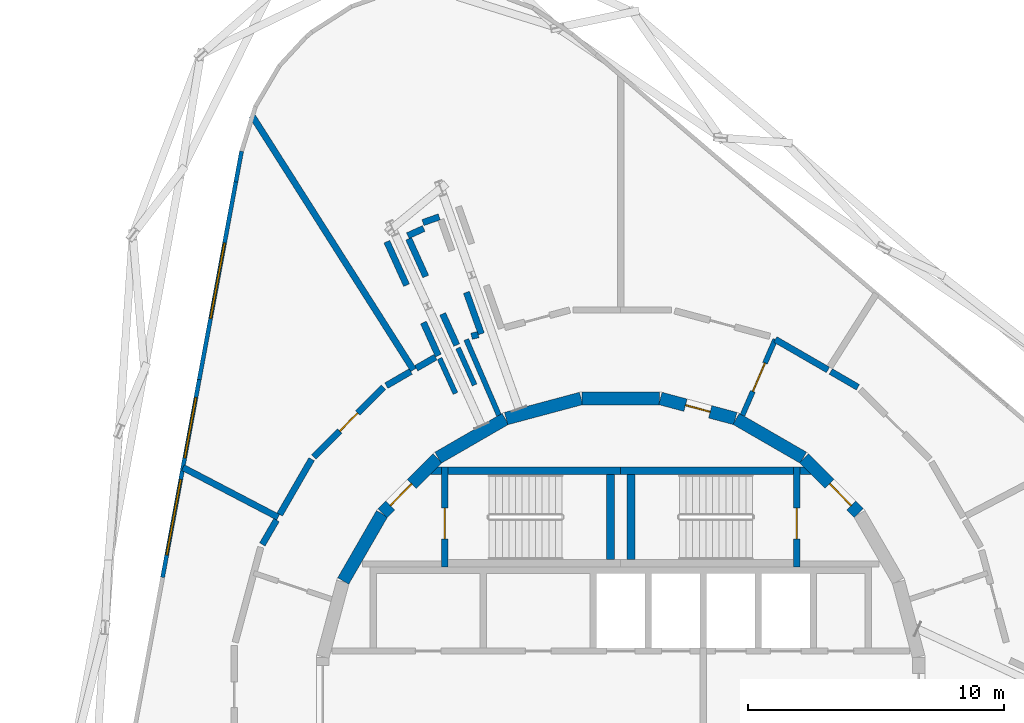
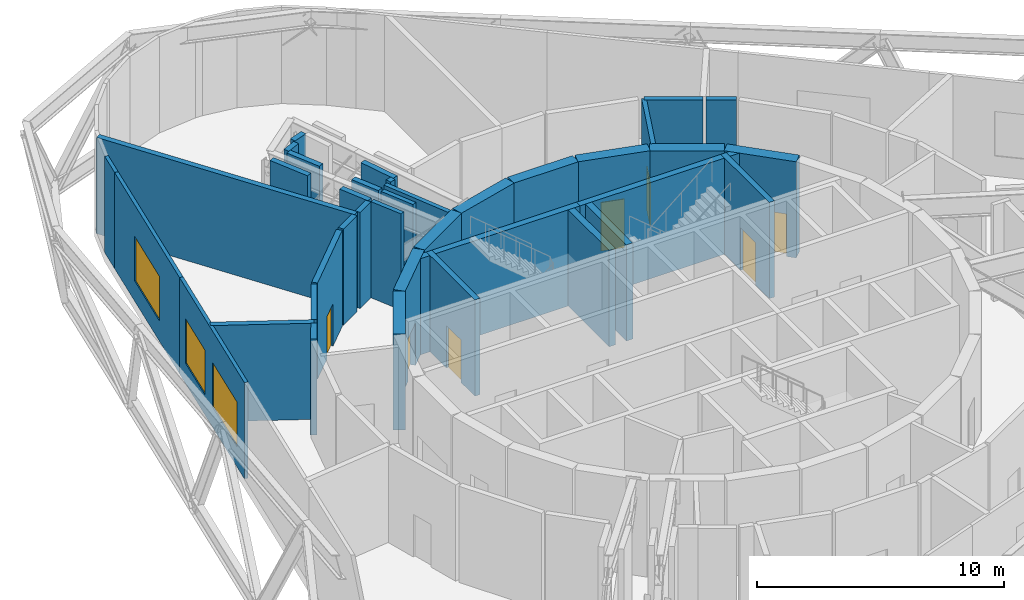
# One storey, part 9 of 12: 40 walls, 7 doors, 3 windows, 10 openings.
"""IFC4 building model written with IfcOpenShell, lengths in metres."""

from ifc_helpers import new_model, si_unit, direction, frame, frame_2d, origin, place, context, subcontext, project, spatial, polyline, rectangle, outline, extrude, material, layer, layer_set, type_object, element, fill, save


model = new_model("IFC4")

# Units and contexts
model_context = context("Model", 3, precision=1e-05, world=origin(), true_north=direction((0.0, 1.0)))
body_context = subcontext(model_context, "Body", "Model", "MODEL_VIEW")
ifc_project = project(units=[si_unit("LENGTHUNIT", "METRE"), si_unit("AREAUNIT", "SQUARE_METRE"), si_unit("VOLUMEUNIT", "CUBIC_METRE"), si_unit("PLANEANGLEUNIT", "RADIAN"), si_unit("MASSUNIT", "GRAM", prefix="KILO")], contexts=[model_context])

# Site, building, storey
site_placement = place(None, origin())
site = spatial("IfcSite", under=ifc_project, at=site_placement, CompositionType="ELEMENT")
building_placement = place(site_placement, origin())
building = spatial("IfcBuilding", under=site, at=building_placement, Name="Spindle Arch Residences", CompositionType="ELEMENT")
storey_placement = place(building_placement, frame((0.0, 0.0, 183.199951171875)))
storey = spatial("IfcBuildingStorey", under=building, at=storey_placement, Name="L46", CompositionType="ELEMENT", Elevation=183.199951171875)

# Wall, opening, door
ifc_material_1 = material(Name="Concrete C50/60", Category="concrete")
ifc_layer_1 = layer(ifc_material_1, 0.5)
ifc_layer_set_1 = layer_set([ifc_layer_1], Name="Core outline wall 500")
wall_type_1 = type_object("IfcWallType", Name="Core outline wall 500", PredefinedType="SHEAR", material=ifc_layer_set_1)
wall_1_placement = place(storey_placement, frame((9.30810546875, 7.163818359375, 0.0), z_axis=(0.0, 0.0, 1.0), x_axis=(-0.707106781187, 0.707106781187, 0.0)))
wall_1 = element("IfcWall", 1, at=wall_1_placement, inside=storey, type_object=wall_type_1, Name="Core outline wall 9", PredefinedType="SHEAR", context=body_context, shape_type="SweptSolid", body=[
    extrude(rectangle(XDim=3.032470703125, YDim=0.5, at=frame_2d((1.51611328125, 0.0))), origin(), (0.0, 0.0, 1.0), 4.75),
])
opening_1_placement = place(wall_1_placement, frame((0.416259765625, 0.0, 0.0)))
opening_1 = element("IfcOpeningElement", 2, at=opening_1_placement, cuts=wall_1, Name="Opening L46-AD01", PredefinedType="OPENING", context=body_context, shape_type="SweptSolid", body=[
    extrude(rectangle(XDim=1.199951171875, YDim=2.10009765625, at=frame_2d((0.60009765625, 1.050048828125))), frame((0.0, 0.260009765625, 0.0), z_axis=(0.0, -1.0, 0.0), x_axis=(1.0, 0.0, 0.0)), (0.0, 0.0, 1.0), 0.52001953125),
])
ifc_material_2 = material(Name="Steel, fire-resisting door", Category="steel")
door_type_1 = type_object("IfcDoorType", Name="Stair airlock door 1200x2100", OperationType="SINGLE_SWING_LEFT", PredefinedType="DOOR", material=ifc_material_2)
door_1_placement = place(opening_1_placement, origin())
door_1 = element("IfcDoor", 3, at=door_1_placement, inside=storey, type_object=door_type_1, Name="Stair airlock door L46-AD01", OperationType="SINGLE_SWING_RIGHT", OverallHeight=2.10009765625, OverallWidth=1.199951171875, PredefinedType="DOOR", context=body_context, shape_type="SweptSolid", body=[
    extrude(rectangle(XDim=1.199951171875, YDim=2.10009765625, at=frame_2d((0.60009765625, 1.050048828125))), frame((0.0, 0.02490234375, 0.0), z_axis=(0.0, -1.0, 0.0), x_axis=(1.0, 0.0, 0.0)), (0.0, 0.0, 1.0), 0.050048828125),
])
fill(opening_1, door_1)

# Wall
wall_2_placement = place(storey_placement, frame((7.13671875, 9.32861328125, 0.0), z_axis=(0.0, 0.0, 1.0), x_axis=(-0.865975092491, 0.500087131594, 0.0)))
element("IfcWall", 4, at=wall_2_placement, inside=storey, type_object=wall_type_1, Name="Core outline wall 10", PredefinedType="SHEAR", context=body_context, shape_type="SweptSolid", body=[
    extrude(rectangle(XDim=3.03271484375, YDim=0.5, at=frame_2d((1.516357421875, 0.0))), origin(), (0.0, 0.0, 1.0), 4.75),
])

# Wall, opening, door
wall_3_placement = place(storey_placement, frame((4.479248046875, 10.858154296875, 0.0), z_axis=(0.0, 0.0, 1.0), x_axis=(-0.965948410781, 0.258734743916, 0.0)))
wall_3 = element("IfcWall", 5, at=wall_3_placement, inside=storey, type_object=wall_type_1, Name="Core outline wall 11", PredefinedType="SHEAR", context=body_context, shape_type="SweptSolid", body=[
    extrude(rectangle(XDim=3.03271484375, YDim=0.5, at=frame_2d((1.516357421875, 0.0))), origin(), (0.0, 0.0, 1.0), 4.75),
])
opening_2_placement = place(wall_3_placement, frame((1.01611328125, 0.0, 0.0)))
opening_2 = element("IfcOpeningElement", 6, at=opening_2_placement, cuts=wall_3, Name="Opening L46-PD11", PredefinedType="OPENING", context=body_context, shape_type="SweptSolid", body=[
    extrude(rectangle(XDim=1.0, YDim=2.39990234375, at=frame_2d((0.5, 1.199951171875))), frame((0.0, 0.260009765625, 0.0), z_axis=(0.0, -1.0, 0.0), x_axis=(1.0, 0.0, 0.0)), (0.0, 0.0, 1.0), 0.52001953125),
])
ifc_material_3 = material(Name="Steel, fire-resisting door", Category="steel")
door_type_2 = type_object("IfcDoorType", Name="Plant room door 1000x2400", OperationType="SINGLE_SWING_LEFT", PredefinedType="DOOR", material=ifc_material_3)
door_2_placement = place(opening_2_placement, origin())
door_2 = element("IfcDoor", 7, at=door_2_placement, inside=storey, type_object=door_type_2, Name="Plant room door L46-PD11", OperationType="SINGLE_SWING_LEFT", OverallHeight=2.39990234375, OverallWidth=1.0, PredefinedType="DOOR", context=body_context, shape_type="SweptSolid", body=[
    extrude(rectangle(XDim=1.0, YDim=2.39990234375, at=frame_2d((0.5, 1.199951171875))), frame((0.0, 0.02490234375, 0.0), z_axis=(0.0, -1.0, 0.0), x_axis=(1.0, 0.0, 0.0)), (0.0, 0.0, 1.0), 0.050048828125),
])
fill(opening_2, door_2)

# Walls
for number, where, z_axis, x_axis, name in (
    (8, (1.516357421875, 11.647216796875, 0.0), (0.0, 0.0, 1.0), (-1.0, 0.0, 0.0), "Core outline wall 12"),
    (9, (-1.5498046875, 11.642822265625, 0.0), (0.0, 0.0, 1.0), (-0.965948410781, -0.258734743916, 0.0), "Core outline wall 13"),
    (10, (-4.510498046875, 10.84521484375, 0.0), (0.0, 0.0, 1.0), (-0.865975092491, -0.500087131594, 0.0), "Core outline wall 14"),
):
    element("IfcWall", number, at=place(storey_placement, frame(where, z_axis=z_axis, x_axis=x_axis)), inside=storey, type_object=wall_type_1, Name=name, PredefinedType="SHEAR", context=body_context, shape_type="SweptSolid", body=[
        extrude(rectangle(XDim=3.03271484375, YDim=0.5, at=frame_2d((1.516357421875, 0.0))), origin(), (0.0, 0.0, 1.0), 4.75),
    ])

# Wall, opening, door
wall_4_placement = place(storey_placement, frame((-7.163818359375, 9.30810546875, 0.0), z_axis=(0.0, 0.0, 1.0), x_axis=(-0.707106781187, -0.707106781187, 0.0)))
wall_4 = element("IfcWall", 11, at=wall_4_placement, inside=storey, type_object=wall_type_1, Name="Core outline wall 15", PredefinedType="SHEAR", context=body_context, shape_type="SweptSolid", body=[
    extrude(rectangle(XDim=3.032470703125, YDim=0.5, at=frame_2d((1.51611328125, 0.0))), origin(), (0.0, 0.0, 1.0), 4.75),
])
opening_3_placement = place(wall_4_placement, frame((1.416259765625, 0.0, 0.0)))
opening_3 = element("IfcOpeningElement", 12, at=opening_3_placement, cuts=wall_4, Name="Opening L46-AD02", PredefinedType="OPENING", context=body_context, shape_type="SweptSolid", body=[
    extrude(rectangle(XDim=1.199951171875, YDim=2.10009765625, at=frame_2d((0.60009765625, 1.050048828125))), frame((0.0, 0.260009765625, 0.0), z_axis=(0.0, -1.0, 0.0), x_axis=(1.0, 0.0, 0.0)), (0.0, 0.0, 1.0), 0.52001953125),
])
door_3_placement = place(opening_3_placement, origin())
door_3 = element("IfcDoor", 13, at=door_3_placement, inside=storey, type_object=door_type_1, Name="Stair airlock door L46-AD02", OperationType="SINGLE_SWING_RIGHT", OverallHeight=2.10009765625, OverallWidth=1.199951171875, PredefinedType="DOOR", context=body_context, shape_type="SweptSolid", body=[
    extrude(rectangle(XDim=1.199951171875, YDim=2.10009765625, at=frame_2d((0.60009765625, 1.050048828125))), frame((0.0, 0.02490234375, 0.0), z_axis=(0.0, -1.0, 0.0), x_axis=(1.0, 0.0, 0.0)), (0.0, 0.0, 1.0), 0.050048828125),
])
fill(opening_3, door_3)

# Walls
wall_5_placement = place(storey_placement, frame((-9.32861328125, 7.13671875, 0.0), z_axis=(0.0, 0.0, 1.0), x_axis=(-0.500087131594, -0.865975092491, 0.0)))
element("IfcWall", 14, at=wall_5_placement, inside=storey, type_object=wall_type_1, Name="Core outline wall 16", PredefinedType="SHEAR", context=body_context, shape_type="SweptSolid", body=[
    extrude(rectangle(XDim=3.03271484375, YDim=0.5, at=frame_2d((1.516357421875, 0.0))), origin(), (0.0, 0.0, 1.0), 4.75),
])
ifc_material_4 = material(Name="Non-combustible mineral wool insulated aluminium faced external wall (K0)", Category="aluminium")
ifc_layer_2 = layer(ifc_material_4, 0.159912109375)
ifc_layer_set_2 = layer_set([ifc_layer_2], Name="Insulated external wall panel 160")
wall_type_2 = type_object("IfcWallType", Name="Insulated external wall panel 160", PredefinedType="STANDARD", material=ifc_layer_set_2)
wall_6_placement = place(storey_placement, frame((-14.81884765625, 21.30322265625, 0.0), z_axis=(0.0, 0.0, 1.0), x_axis=(-0.182153983932, -0.983270016902, 0.0)))
element("IfcWall", 15, at=wall_6_placement, inside=storey, type_object=wall_type_2, Name="Plant wall L46 bay 12.4", PredefinedType="STANDARD", context=body_context, shape_type="SweptSolid", body=[
    extrude(rectangle(XDim=1.215576171875, YDim=0.159912109375, at=frame_2d((0.60791015625, 0.0))), origin(), (0.0, 0.0, 1.0), 4.75),
])

# Wall, opening, window
wall_7_placement = place(storey_placement, frame((-15.04052734375, 20.107666015625, 0.0), z_axis=(0.0, 0.0, 1.0), x_axis=(-0.182238304251, -0.983254392547, 0.0)))
wall_7 = element("IfcWall", 16, at=wall_7_placement, inside=storey, type_object=wall_type_2, Name="Plant wall L46 bay 13", PredefinedType="STANDARD", context=body_context, shape_type="SweptSolid", body=[
    extrude(rectangle(XDim=7.85986328125, YDim=0.159912109375, at=frame_2d((3.929931640625, 0.0))), origin(), (0.0, 0.0, 1.0), 4.75),
])
opening_4_placement = place(wall_7_placement, frame((2.429931640625, 0.0, 1.0)))
opening_4 = element("IfcOpeningElement", 17, at=opening_4_placement, cuts=wall_7, Name="Opening LW1", PredefinedType="OPENING", context=body_context, shape_type="SweptSolid", body=[
    extrude(rectangle(XDim=3.0, YDim=2.199951171875, at=frame_2d((1.5, 1.10009765625))), frame((0.0, 0.08984375, 0.0), z_axis=(0.0, -1.0, 0.0), x_axis=(1.0, 0.0, 0.0)), (0.0, 0.0, 1.0), 0.179931640625),
])
ifc_material_5 = material(Name="Bronze anodised aluminium fixed louvre", Category="aluminium")
window_type_1 = type_object("IfcWindowType", Name="Plant louvre opening 3000x2200", PartitioningType="SINGLE_PANEL", PredefinedType="WINDOW", material=ifc_material_5)
window_1_placement = place(opening_4_placement, origin())
window_1 = element("IfcWindow", 18, at=window_1_placement, inside=storey, type_object=window_type_1, Name="Louvre opening L46 bay 13.1", OverallHeight=2.199951171875, OverallWidth=3.0, PartitioningType="SINGLE_PANEL", PredefinedType="WINDOW", context=body_context, shape_type="SweptSolid", body=[
    extrude(rectangle(XDim=3.0, YDim=2.199951171875, at=frame_2d((1.5, 1.10009765625))), frame((0.0, 0.030029296875, 0.0), z_axis=(0.0, -1.0, 0.0), x_axis=(1.0, 0.0, 0.0)), (0.0, 0.0, 1.0), 0.06005859375),
])
fill(opening_4, window_1)

# Wall, openings, windows
wall_8_placement = place(storey_placement, frame((-16.472900390625, 12.37939453125, 0.0), z_axis=(0.0, 0.0, 1.0), x_axis=(-0.182232738599, -0.98325542408, 0.0)))
wall_8 = element("IfcWall", 19, at=wall_8_placement, inside=storey, type_object=wall_type_2, Name="Plant wall L46 bay 14", PredefinedType="STANDARD", context=body_context, shape_type="SweptSolid", body=[
    extrude(rectangle(XDim=7.860107421875, YDim=0.159912109375, at=frame_2d((3.93017578125, 0.0))), origin(), (0.0, 0.0, 1.0), 4.75),
])
opening_5_placement = place(wall_8_placement, frame((0.715087890625, 0.0, 1.0)))
opening_5 = element("IfcOpeningElement", 20, at=opening_5_placement, cuts=wall_8, Name="Opening LW2", PredefinedType="OPENING", context=body_context, shape_type="SweptSolid", body=[
    extrude(rectangle(XDim=2.39990234375, YDim=2.199951171875, at=frame_2d((1.199951171875, 1.10009765625))), frame((0.0, 0.08984375, 0.0), z_axis=(0.0, -1.0, 0.0), x_axis=(1.0, 0.0, 0.0)), (0.0, 0.0, 1.0), 0.179931640625),
])
opening_6_placement = place(wall_8_placement, frame((3.97021484375, 0.0, 1.0)))
opening_6 = element("IfcOpeningElement", 21, at=opening_6_placement, cuts=wall_8, Name="Opening LW1", PredefinedType="OPENING", context=body_context, shape_type="SweptSolid", body=[
    extrude(rectangle(XDim=3.0, YDim=2.199951171875, at=frame_2d((1.5, 1.10009765625))), frame((0.0, 0.08984375, 0.0), z_axis=(0.0, -1.0, 0.0), x_axis=(1.0, 0.0, 0.0)), (0.0, 0.0, 1.0), 0.179931640625),
])
ifc_material_6 = material(Name="Bronze anodised aluminium fixed louvre", Category="aluminium")
window_type_2 = type_object("IfcWindowType", Name="Plant louvre opening 2400x2200", PartitioningType="SINGLE_PANEL", PredefinedType="WINDOW", material=ifc_material_6)
window_2_placement = place(opening_5_placement, origin())
window_2 = element("IfcWindow", 22, at=window_2_placement, inside=storey, type_object=window_type_2, Name="Louvre opening L46 bay 14.1", OverallHeight=2.199951171875, OverallWidth=2.39990234375, PartitioningType="SINGLE_PANEL", PredefinedType="WINDOW", context=body_context, shape_type="SweptSolid", body=[
    extrude(rectangle(XDim=2.39990234375, YDim=2.199951171875, at=frame_2d((1.199951171875, 1.10009765625))), frame((0.0, 0.030029296875, 0.0), z_axis=(0.0, -1.0, 0.0), x_axis=(1.0, 0.0, 0.0)), (0.0, 0.0, 1.0), 0.06005859375),
])
fill(opening_5, window_2)
window_3_placement = place(opening_6_placement, origin())
window_3 = element("IfcWindow", 23, at=window_3_placement, inside=storey, type_object=window_type_1, Name="Louvre opening L46 bay 14.2", OverallHeight=2.199951171875, OverallWidth=3.0, PartitioningType="SINGLE_PANEL", PredefinedType="WINDOW", context=body_context, shape_type="SweptSolid", body=[
    extrude(rectangle(XDim=3.0, YDim=2.199951171875, at=frame_2d((1.5, 1.10009765625))), frame((0.0, 0.030029296875, 0.0), z_axis=(0.0, -1.0, 0.0), x_axis=(1.0, 0.0, 0.0)), (0.0, 0.0, 1.0), 0.06005859375),
])
fill(opening_6, window_3)

# Walls
ifc_material_7 = material(Name="Concrete C25/30 wall", Category="concrete")
ifc_layer_3 = layer(ifc_material_7, 0.25)
ifc_layer_set_3 = layer_set([ifc_layer_3], Name="Partition EI 120 250 plant")
wall_type_3 = type_object("IfcWallType", Name="Partition EI 120 250 plant", PredefinedType="PARTITIONING", material=ifc_layer_set_3)
wall_9_placement = place(storey_placement, frame((-13.452880859375, 6.891845703125, 0.0), z_axis=(0.0, 0.0, 1.0), x_axis=(-0.502370413152, -0.864652512857, 0.0)))
element("IfcWall", 24, at=wall_9_placement, inside=storey, type_object=wall_type_3, Name="L46-W007", PredefinedType="PARTITIONING", context=body_context, shape_type="SweptSolid", body=[
    extrude(rectangle(XDim=1.103271484375, YDim=0.25, at=frame_2d((0.5517578125, 0.0))), origin(), (0.0, 0.0, 1.0), 4.75),
])
wall_10_placement = place(storey_placement, frame((6.0400390625, 13.949951171875, 0.0), z_axis=(0.0, 0.0, 1.0), x_axis=(0.865922362496, -0.500178430292, 0.0)))
element("IfcWall", 25, at=wall_10_placement, inside=storey, type_object=wall_type_3, Name="L46-W053", PredefinedType="PARTITIONING", context=body_context, shape_type="SweptSolid", body=[
    extrude(rectangle(XDim=2.379150390625, YDim=0.25, at=frame_2d((1.189453125, 0.0))), origin(), (0.0, 0.0, 1.0), 4.75),
])
ifc_material_8 = material(Name="Concrete C25/30 wall", Category="concrete")
ifc_layer_4 = layer(ifc_material_8, 0.25)
ifc_layer_set_4 = layer_set([ifc_layer_4], Name="Partition EI 150 250 electrical")
wall_type_4 = type_object("IfcWallType", Name="Partition EI 150 250 electrical", PredefinedType="PARTITIONING", material=ifc_layer_set_4)
wall_11_placement = place(storey_placement, frame((-9.139892578125, 17.77001953125, 0.0), z_axis=(0.0, 0.0, 1.0), x_axis=(0.412501408044, -0.910956962958, 0.0)))
element("IfcWall", 26, at=wall_11_placement, inside=storey, type_object=wall_type_4, Name="L46-W018", PredefinedType="PARTITIONING", context=body_context, shape_type="SweptSolid", body=[
    extrude(rectangle(XDim=1.8662109375, YDim=0.25, at=frame_2d((0.93310546875, 0.0))), origin(), (0.0, 0.0, 1.0), 4.75),
])
wall_12_placement = place(storey_placement, frame((-8.10009765625, 12.760009765625, 0.0), z_axis=(0.0, 0.0, 1.0), x_axis=(-0.536060247706, 0.844179726616, 0.0)))
element("IfcWall", 27, at=wall_12_placement, inside=storey, type_object=wall_type_4, Name="L46-W021", PredefinedType="PARTITIONING", context=body_context, shape_type="SweptSolid", body=[
    extrude(rectangle(XDim=11.765625, YDim=0.25, at=frame_2d((5.8828125, 0.0))), origin(), (0.0, 0.0, 1.0), 4.75),
])
wall_13_placement = place(storey_placement, frame((-7.7099609375, 14.610107421875, 0.0), z_axis=(0.0, 0.0, 1.0), x_axis=(0.410106293635, -0.912037733825, 0.0)))
element("IfcWall", 28, at=wall_13_placement, inside=storey, type_object=wall_type_4, Name="L46-W025", PredefinedType="PARTITIONING", context=body_context, shape_type="SweptSolid", body=[
    extrude(rectangle(XDim=1.41455078125, YDim=0.25, at=frame_2d((0.707275390625, 0.0))), origin(), (0.0, 0.0, 1.0), 4.75),
])
wall_14_placement = place(storey_placement, frame((-7.6201171875, 16.409912109375, 0.0), z_axis=(0.0, 0.0, 1.0), x_axis=(-0.412505188341, 0.910955251147, 0.0)))
element("IfcWall", 29, at=wall_14_placement, inside=storey, type_object=wall_type_4, Name="L46-W026", PredefinedType="PARTITIONING", context=body_context, shape_type="SweptSolid", body=[
    extrude(rectangle(XDim=1.616455078125, YDim=0.25, at=frame_2d((0.80810546875, 0.0))), origin(), (0.0, 0.0, 1.0), 4.75),
])
wall_15_placement = place(storey_placement, frame((-7.23828125, 13.257568359375, 0.0), z_axis=(0.0, 0.0, 1.0), x_axis=(-0.865989304205, -0.500062521093, 0.0)))
element("IfcWall", 30, at=wall_15_placement, inside=storey, type_object=wall_type_4, Name="L46-W028", PredefinedType="PARTITIONING", context=body_context, shape_type="SweptSolid", body=[
    extrude(rectangle(XDim=0.8701171875, YDim=0.25, at=frame_2d((0.43505859375, 0.0))), origin(), (0.0, 0.0, 1.0), 4.75),
])
wall_16_placement = place(storey_placement, frame((-6.409912109375, 13.72998046875, 0.0), z_axis=(0.0, 0.0, 1.0), x_axis=(-0.411024519378, 0.911624289096, 0.0)))
element("IfcWall", 31, at=wall_16_placement, inside=storey, type_object=wall_type_4, Name="L46-W031", PredefinedType="PARTITIONING", context=body_context, shape_type="SweptSolid", body=[
    extrude(rectangle(XDim=1.338134765625, YDim=0.25, at=frame_2d((0.6689453125, 0.0))), origin(), (0.0, 0.0, 1.0), 4.75),
])
wall_17_placement = place(storey_placement, frame((-6.030029296875, 15.7900390625, 0.0), z_axis=(0.0, 0.0, 1.0), x_axis=(0.337091235246, -0.941471985308, 0.0)))
element("IfcWall", 32, at=wall_17_placement, inside=storey, type_object=wall_type_4, Name="L46-W033", PredefinedType="PARTITIONING", context=body_context, shape_type="SweptSolid", body=[
    extrude(rectangle(XDim=1.720947265625, YDim=0.25, at=frame_2d((0.8603515625, 0.0))), origin(), (0.0, 0.0, 1.0), 4.75),
])
wall_18_placement = place(storey_placement, frame((-5.57080078125, 14.13818359375, 0.0), z_axis=(0.0, 0.0, 1.0), x_axis=(-0.967180624685, -0.254089825129, 0.0)))
element("IfcWall", 33, at=wall_18_placement, inside=storey, type_object=wall_type_4, Name="L46-W037", PredefinedType="PARTITIONING", context=body_context, shape_type="SweptSolid", body=[
    extrude(rectangle(XDim=0.26806640625, YDim=0.25, at=frame_2d((0.134033203125, 0.0))), origin(), (0.0, 0.0, 1.0), 4.75),
])
wall_19_placement = place(storey_placement, frame((-7.70068359375, 18.284912109375, 0.0), z_axis=(0.0, 0.0, 1.0), x_axis=(-0.910931266963, -0.412558149681, 0.0)))
element("IfcWall", 34, at=wall_19_placement, inside=storey, type_object=wall_type_4, Name="L46-W080", PredefinedType="PARTITIONING", context=body_context, shape_type="SweptSolid", body=[
    extrude(rectangle(XDim=0.679931640625, YDim=0.25, at=frame_2d((0.33984375, 0.0))), origin(), (0.0, 0.0, 1.0), 4.75),
])
wall_20_placement = place(storey_placement, frame((-7.0927734375, 18.740966796875, 0.0), z_axis=(0.0, 0.0, 1.0), x_axis=(-0.942636688844, -0.333820420054, 0.0)))
element("IfcWall", 35, at=wall_20_placement, inside=storey, type_object=wall_type_4, Name="L46-W081", PredefinedType="PARTITIONING", context=body_context, shape_type="SweptSolid", body=[
    extrude(rectangle(XDim=0.676513671875, YDim=0.25, at=frame_2d((0.33837890625, 0.0))), origin(), (0.0, 0.0, 1.0), 4.75),
])
ifc_material_9 = material(Name="Gypsum board partition on steel studs", Category="steel")
ifc_layer_5 = layer(ifc_material_9, 0.199951171875)
ifc_layer_set_5 = layer_set([ifc_layer_5], Name="Partition EI 60 200 amenity")
wall_type_5 = type_object("IfcWallType", Name="Partition EI 60 200 amenity", PredefinedType="PARTITIONING", material=ifc_layer_set_5)
wall_21_placement = place(storey_placement, frame((-7.078369140625, 13.2060546875, 0.0), z_axis=(0.0, 0.0, 1.0), x_axis=(0.412428521681, -0.910989963997, 0.0)))
element("IfcWall", 36, at=wall_21_placement, inside=storey, type_object=wall_type_5, Name="L46-W029", PredefinedType="PARTITIONING", context=body_context, shape_type="SweptSolid", body=[
    extrude(rectangle(XDim=1.49951171875, YDim=0.199951171875, at=frame_2d((0.749755859375, 0.0))), origin(), (0.0, 0.0, 1.0), 4.75),
])
wall_22_placement = place(storey_placement, frame((-6.038818359375, 13.947509765625, 0.0), z_axis=(0.0, 0.0, 1.0), x_axis=(0.396880096663, -0.917870464103, 0.0)))
element("IfcWall", 37, at=wall_22_placement, inside=storey, type_object=wall_type_5, Name="L46-W032", PredefinedType="PARTITIONING", context=body_context, shape_type="SweptSolid", body=[
    extrude(rectangle(XDim=3.22216796875, YDim=0.199951171875, at=frame_2d((1.611083984375, 0.0))), origin(), (0.0, 0.0, 1.0), 4.75),
])
wall_23_placement = place(storey_placement, frame((-5.7099609375, 12.169921875, 0.0), z_axis=(0.0, 0.0, 1.0), x_axis=(-0.40942296047, 0.912344693326, 0.0)))
element("IfcWall", 38, at=wall_23_placement, inside=storey, type_object=wall_type_5, Name="L46-W036", PredefinedType="PARTITIONING", context=body_context, shape_type="SweptSolid", body=[
    extrude(rectangle(XDim=1.5849609375, YDim=0.199951171875, at=frame_2d((0.79248046875, 0.0))), origin(), (0.0, 0.0, 1.0), 4.75),
])

# Wall, opening, door
wall_24_placement = place(storey_placement, frame((4.760009765625, 10.989990234375, 0.0), z_axis=(0.0, 0.0, 1.0), x_axis=(0.396905977672, 0.917859272922, 0.0)))
wall_24 = element("IfcWall", 39, at=wall_24_placement, inside=storey, type_object=wall_type_5, Name="L46-W050", PredefinedType="PARTITIONING", context=body_context, shape_type="SweptSolid", body=[
    extrude(rectangle(XDim=3.223876953125, YDim=0.199951171875, at=frame_2d((1.61181640625, 0.0))), origin(), (0.0, 0.0, 1.0), 4.75),
])
opening_7_placement = place(wall_24_placement, frame((1.011962890625, 0.0, 0.0)))
opening_7 = element("IfcOpeningElement", 40, at=opening_7_placement, cuts=wall_24, Name="Opening L46-D13", PredefinedType="OPENING", context=body_context, shape_type="SweptSolid", body=[
    extrude(rectangle(XDim=1.199951171875, YDim=2.10009765625, at=frame_2d((0.60009765625, 1.050048828125))), frame((0.0, 0.10986328125, 0.0), z_axis=(0.0, -1.0, 0.0), x_axis=(1.0, 0.0, 0.0)), (0.0, 0.0, 1.0), 0.219970703125),
])
ifc_material_10 = material(Name="Steel door leaf, painted", Category="steel")
door_type_3 = type_object("IfcDoorType", Name="Door 1200x2100 EI 60", OperationType="SINGLE_SWING_LEFT", PredefinedType="DOOR", material=ifc_material_10)
door_4_placement = place(opening_7_placement, origin())
door_4 = element("IfcDoor", 41, at=door_4_placement, inside=storey, type_object=door_type_3, Name="L46-D13", OperationType="SINGLE_SWING_LEFT", OverallHeight=2.10009765625, OverallWidth=1.199951171875, PredefinedType="DOOR", context=body_context, shape_type="SweptSolid", body=[
    extrude(rectangle(XDim=1.199951171875, YDim=2.10009765625, at=frame_2d((0.60009765625, 1.050048828125))), frame((0.0, 0.02490234375, 0.0), z_axis=(0.0, -1.0, 0.0), x_axis=(1.0, 0.0, 0.0)), (0.0, 0.0, 1.0), 0.050048828125),
])
fill(opening_7, door_4)

# Walls
ifc_material_11 = material(Name="Concrete C25/30 wall", Category="concrete")
ifc_layer_6 = layer(ifc_material_11, 0.25)
ifc_layer_set_6 = layer_set([ifc_layer_6], Name="Partition REI 120 250 refuge")
wall_type_6 = type_object("IfcWallType", Name="Partition REI 120 250 refuge", PredefinedType="PARTITIONING", material=ifc_layer_set_6)
wall_25_placement = place(storey_placement, frame((-13.389892578125, 7.0, 0.0), z_axis=(0.0, 0.0, 1.0), x_axis=(-0.88635027374, 0.46301532614, 0.0)))
element("IfcWall", 42, at=wall_25_placement, inside=storey, type_object=wall_type_6, Name="L46-W006", PredefinedType="PARTITIONING", context=body_context, shape_type="SweptSolid", body=[
    extrude(rectangle(XDim=4.196044921875, YDim=0.25, at=frame_2d((2.09814453125, 0.0))), origin(), (0.0, 0.0, 1.0), 4.75),
])
wall_26_placement = place(storey_placement, frame((-12.080078125, 9.27001953125, 0.0), z_axis=(0.0, 0.0, 1.0), x_axis=(-0.499821239653, -0.866128586522, 0.0)))
element("IfcWall", 43, at=wall_26_placement, inside=storey, type_object=wall_type_6, Name="L46-W011", PredefinedType="PARTITIONING", context=body_context, shape_type="SweptSolid", body=[
    extrude(rectangle(XDim=2.49609375, YDim=0.25, at=frame_2d((1.248046875, 0.0))), origin(), (0.0, 0.0, 1.0), 4.75),
])

# Wall, opening, door
wall_27_placement = place(storey_placement, frame((-9.27001953125, 12.080078125, 0.0), z_axis=(0.0, 0.0, 1.0), x_axis=(-0.707106781187, -0.707106781187, 0.0)))
wall_27 = element("IfcWall", 44, at=wall_27_placement, inside=storey, type_object=wall_type_6, Name="L46-W017", PredefinedType="PARTITIONING", context=body_context, shape_type="SweptSolid", body=[
    extrude(rectangle(XDim=3.84912109375, YDim=0.25, at=frame_2d((1.924560546875, 0.0))), origin(), (0.0, 0.0, 1.0), 4.75),
])
opening_8_placement = place(wall_27_placement, frame((1.424560546875, 0.0, 0.0)))
opening_8 = element("IfcOpeningElement", 45, at=opening_8_placement, cuts=wall_27, Name="Opening L46-D08", PredefinedType="OPENING", context=body_context, shape_type="SweptSolid", body=[
    extrude(rectangle(XDim=1.0, YDim=2.10009765625, at=frame_2d((0.5, 1.050048828125))), frame((0.0, 0.135009765625, 0.0), z_axis=(0.0, -1.0, 0.0), x_axis=(1.0, 0.0, 0.0)), (0.0, 0.0, 1.0), 0.27001953125),
])
ifc_material_12 = material(Name="Steel door leaf, painted", Category="steel")
door_type_4 = type_object("IfcDoorType", Name="Door 1000x2100 EI 60", OperationType="SINGLE_SWING_LEFT", PredefinedType="DOOR", material=ifc_material_12)
door_5_placement = place(opening_8_placement, origin())
door_5 = element("IfcDoor", 46, at=door_5_placement, inside=storey, type_object=door_type_4, Name="L46-D08", OperationType="SINGLE_SWING_LEFT", OverallHeight=2.10009765625, OverallWidth=1.0, PredefinedType="DOOR", context=body_context, shape_type="SweptSolid", body=[
    extrude(rectangle(XDim=1.0, YDim=2.10009765625, at=frame_2d((0.5, 1.050048828125))), frame((0.0, 0.02490234375, 0.0), z_axis=(0.0, -1.0, 0.0), x_axis=(1.0, 0.0, 0.0)), (0.0, 0.0, 1.0), 0.050048828125),
])
fill(opening_8, door_5)

# Walls
wall_28_placement = place(storey_placement, frame((-8.2080078125, 12.697265625, 0.0), z_axis=(0.0, 0.0, 1.0), x_axis=(-0.86455637663, -0.502535841138, 0.0)))
element("IfcWall", 47, at=wall_28_placement, inside=storey, type_object=wall_type_6, Name="L46-W022", PredefinedType="PARTITIONING", context=body_context, shape_type="SweptSolid", body=[
    extrude(rectangle(XDim=1.103271484375, YDim=0.25, at=frame_2d((0.5517578125, 0.0))), origin(), (0.0, 0.0, 1.0), 4.75),
])
wall_29_placement = place(storey_placement, frame((9.27001953125, 12.080078125, 0.0), z_axis=(0.0, 0.0, 1.0), x_axis=(-0.864599561852, 0.502461538474, 0.0)))
element("IfcWall", 48, at=wall_29_placement, inside=storey, type_object=wall_type_6, Name="L46-W056", PredefinedType="PARTITIONING", context=body_context, shape_type="SweptSolid", body=[
    extrude(rectangle(XDim=1.228271484375, YDim=0.25, at=frame_2d((0.6142578125, 0.0))), origin(), (0.0, 0.0, 1.0), 4.75),
])
ifc_material_13 = material(Name="Concrete C40/50", Category="concrete")
wall_type_7 = type_object("IfcWallType", Name="Stair airlock wall profile", PredefinedType="SHEAR", material=ifc_material_13)
wall_30_placement = place(storey_placement, origin())
element("IfcWall", 49, at=wall_30_placement, inside=storey, type_object=wall_type_7, Name="Stair ST-1 airlock wall N", PredefinedType="SHEAR", context=body_context, shape_type="SweptSolid", body=[
    extrude(outline(polyline([(7.4482421875, 8.669921875), (7.0, 8.669921875), (7.0, 8.969970703125), (7.148193359375, 8.969970703125), (7.4482421875, 8.669921875)])), origin(), (0.0, 0.0, 1.0), 4.75),
])
wall_31_placement = place(storey_placement, origin())
element("IfcWall", 50, at=wall_31_placement, inside=storey, type_object=wall_type_7, Name="Stair ST-2 airlock wall N", PredefinedType="SHEAR", context=body_context, shape_type="SweptSolid", body=[
    extrude(outline(polyline([(-7.148193359375, 8.969970703125), (-7.0, 8.969970703125), (-7.0, 8.669921875), (-7.4482421875, 8.669921875), (-7.148193359375, 8.969970703125)])), origin(), (0.0, 0.0, 1.0), 4.75),
])

# Wall, opening, door
ifc_material_14 = material(Name="Concrete C50/60", Category="concrete")
ifc_layer_7 = layer(ifc_material_14, 0.25)
ifc_layer_set_7 = layer_set([ifc_layer_7], Name="Stair enclosure wall 250")
wall_type_8 = type_object("IfcWallType", Name="Stair enclosure wall 250", PredefinedType="SHEAR", material=ifc_layer_set_7)
wall_32_placement = place(storey_placement, frame((6.875, 5.050048828125, 0.0), z_axis=(0.0, 0.0, 1.0), x_axis=(0.0, 1.0, 0.0)))
wall_32 = element("IfcWall", 51, at=wall_32_placement, inside=storey, type_object=wall_type_8, Name="Stair ST-1 door wall", PredefinedType="SHEAR", context=body_context, shape_type="SweptSolid", body=[
    extrude(rectangle(XDim=3.919921875, YDim=0.25, at=frame_2d((1.9599609375, 0.0))), origin(), (0.0, 0.0, 1.0), 4.75),
])
opening_9_placement = place(wall_32_placement, frame((1.110107421875, 0.0, 0.0)))
opening_9 = element("IfcOpeningElement", 52, at=opening_9_placement, cuts=wall_32, Name="Opening L46-SD01", PredefinedType="OPENING", context=body_context, shape_type="SweptSolid", body=[
    extrude(rectangle(XDim=1.199951171875, YDim=2.10009765625, at=frame_2d((0.60009765625, 1.050048828125))), frame((0.0, 0.135009765625, 0.0), z_axis=(0.0, -1.0, 0.0), x_axis=(1.0, 0.0, 0.0)), (0.0, 0.0, 1.0), 0.27001953125),
])
ifc_material_15 = material(Name="Steel, fire-resisting door", Category="steel")
door_type_5 = type_object("IfcDoorType", Name="Stair door 1200x2100", OperationType="SINGLE_SWING_RIGHT", PredefinedType="DOOR", material=ifc_material_15)
door_6_placement = place(opening_9_placement, origin())
door_6 = element("IfcDoor", 53, at=door_6_placement, inside=storey, type_object=door_type_5, Name="Stair door L46-SD01", OperationType="SINGLE_SWING_LEFT", OverallHeight=2.10009765625, OverallWidth=1.199951171875, PredefinedType="DOOR", context=body_context, shape_type="SweptSolid", body=[
    extrude(rectangle(XDim=1.199951171875, YDim=2.10009765625, at=frame_2d((0.60009765625, 1.050048828125))), frame((0.0, 0.02490234375, 0.0), z_axis=(0.0, -1.0, 0.0), x_axis=(1.0, 0.0, 0.0)), (0.0, 0.0, 1.0), 0.050048828125),
])
fill(opening_9, door_6)

wall_33_placement = place(storey_placement, frame((-6.875, 8.969970703125, 0.0), z_axis=(0.0, 0.0, 1.0), x_axis=(0.0, -1.0, 0.0)))
wall_33 = element("IfcWall", 54, at=wall_33_placement, inside=storey, type_object=wall_type_8, Name="Stair ST-2 door wall", PredefinedType="SHEAR", context=body_context, shape_type="SweptSolid", body=[
    extrude(rectangle(XDim=3.919921875, YDim=0.25, at=frame_2d((1.9599609375, 0.0))), origin(), (0.0, 0.0, 1.0), 4.75),
])
opening_10_placement = place(wall_33_placement, frame((1.610107421875, 0.0, 0.0)))
opening_10 = element("IfcOpeningElement", 55, at=opening_10_placement, cuts=wall_33, Name="Opening L46-SD02", PredefinedType="OPENING", context=body_context, shape_type="SweptSolid", body=[
    extrude(rectangle(XDim=1.199951171875, YDim=2.10009765625, at=frame_2d((0.60009765625, 1.050048828125))), frame((0.0, 0.135009765625, 0.0), z_axis=(0.0, -1.0, 0.0), x_axis=(1.0, 0.0, 0.0)), (0.0, 0.0, 1.0), 0.27001953125),
])
door_7_placement = place(opening_10_placement, origin())
door_7 = element("IfcDoor", 56, at=door_7_placement, inside=storey, type_object=door_type_5, Name="Stair door L46-SD02", OperationType="SINGLE_SWING_LEFT", OverallHeight=2.10009765625, OverallWidth=1.199951171875, PredefinedType="DOOR", context=body_context, shape_type="SweptSolid", body=[
    extrude(rectangle(XDim=1.199951171875, YDim=2.10009765625, at=frame_2d((0.60009765625, 1.050048828125))), frame((0.0, 0.02490234375, 0.0), z_axis=(0.0, -1.0, 0.0), x_axis=(1.0, 0.0, 0.0)), (0.0, 0.0, 1.0), 0.050048828125),
])
fill(opening_10, door_7)

# Walls
ifc_material_16 = material(Name="Concrete C50/60", Category="concrete")
ifc_layer_8 = layer(ifc_material_16, 0.300048828125)
ifc_layer_set_8 = layer_set([ifc_layer_8], Name="Stair enclosure wall 300")
wall_type_9 = type_object("IfcWallType", Name="Stair enclosure wall 300", PredefinedType="SHEAR", material=ifc_layer_set_8)
wall_34_placement = place(storey_placement, frame((0.0, 8.820068359375, 0.0), z_axis=(0.0, 0.0, 1.0), x_axis=(1.0, 0.0, 0.0)))
element("IfcWall", 57, at=wall_34_placement, inside=storey, type_object=wall_type_9, Name="Stair ST-1 enclosure wall N", PredefinedType="SHEAR", context=body_context, shape_type="SweptSolid", body=[
    extrude(rectangle(XDim=6.75, YDim=0.300048828125, at=frame_2d((3.375, 0.0))), origin(), (0.0, 0.0, 1.0), 4.75),
])
wall_35_placement = place(storey_placement, frame((0.39990234375, 5.35009765625, 0.0), z_axis=(0.0, 0.0, 1.0), x_axis=(0.0, 1.0, 0.0)))
element("IfcWall", 58, at=wall_35_placement, inside=storey, type_object=wall_type_9, Name="Stair ST-1 enclosure wall F", PredefinedType="SHEAR", context=body_context, shape_type="SweptSolid", body=[
    extrude(rectangle(XDim=3.31982421875, YDim=0.300048828125, at=frame_2d((1.659912109375, 0.0))), origin(), (0.0, 0.0, 1.0), 4.75),
])
wall_36_placement = place(storey_placement, frame((-6.75, 8.820068359375, 0.0), z_axis=(0.0, 0.0, 1.0), x_axis=(1.0, 0.0, 0.0)))
element("IfcWall", 59, at=wall_36_placement, inside=storey, type_object=wall_type_9, Name="Stair ST-2 enclosure wall N", PredefinedType="SHEAR", context=body_context, shape_type="SweptSolid", body=[
    extrude(rectangle(XDim=6.75, YDim=0.300048828125, at=frame_2d((3.375, 0.0))), origin(), (0.0, 0.0, 1.0), 4.75),
])
wall_37_placement = place(storey_placement, frame((-0.39990234375, 5.35009765625, 0.0), z_axis=(0.0, 0.0, 1.0), x_axis=(0.0, 1.0, 0.0)))
element("IfcWall", 60, at=wall_37_placement, inside=storey, type_object=wall_type_9, Name="Stair ST-2 enclosure wall F", PredefinedType="SHEAR", context=body_context, shape_type="SweptSolid", body=[
    extrude(rectangle(XDim=3.31982421875, YDim=0.300048828125, at=frame_2d((1.659912109375, 0.0))), origin(), (0.0, 0.0, 1.0), 4.75),
])

save(model, "model.ifc")
